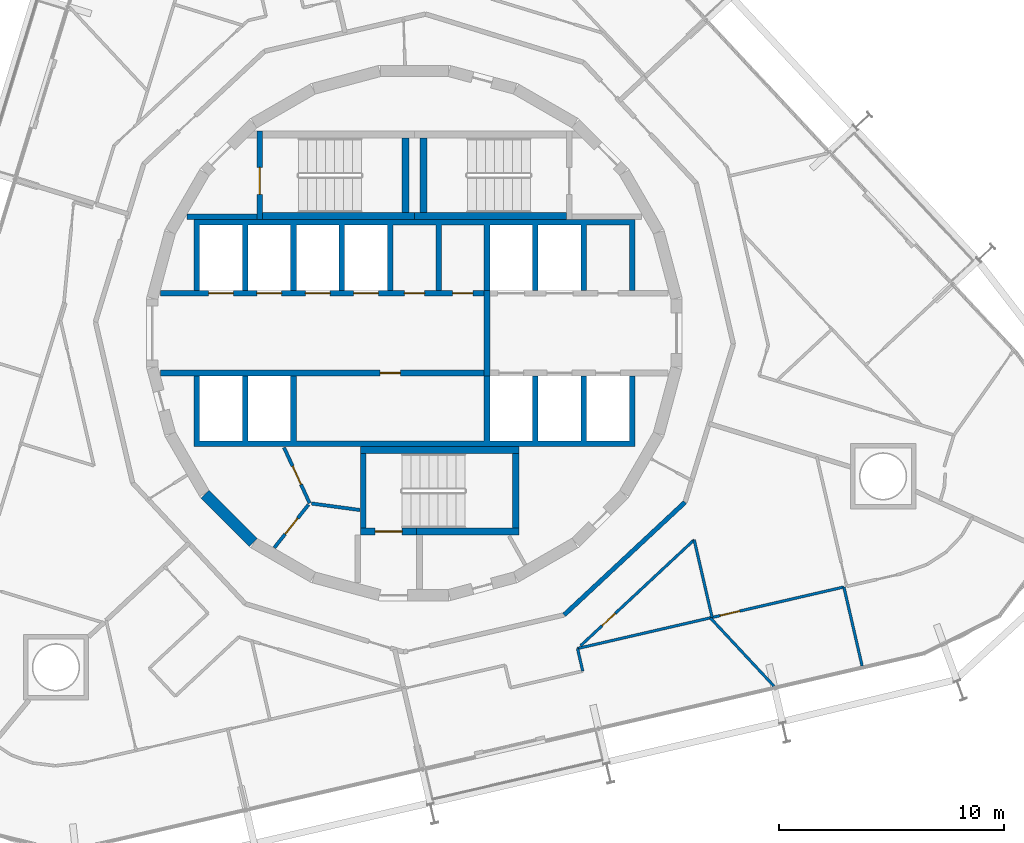
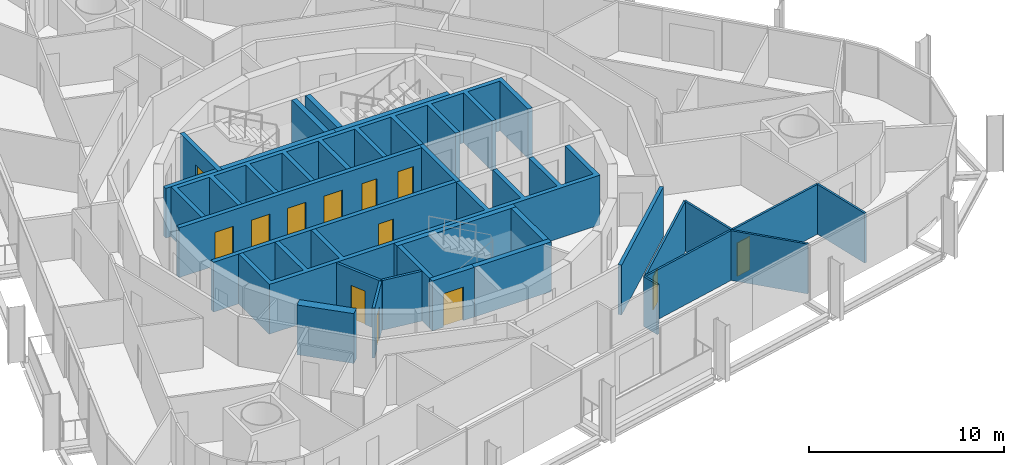
# One storey, part 13 of 18: 27 walls, 13 doors, 13 openings.
"""IFC4 building model written with IfcOpenShell, lengths in metres."""

from ifc_helpers import new_model, si_unit, direction, frame, frame_2d, origin, place, context, subcontext, project, spatial, polyline, rectangle, outline, extrude, material, layer, layer_set, type_object, element, fill, save


model = new_model("IFC4")

# Units and contexts
model_context = context("Model", 3, precision=1e-05, world=origin(), true_north=direction((0.0, 1.0)))
body_context = subcontext(model_context, "Body", "Model", "MODEL_VIEW")
ifc_project = project(units=[si_unit("LENGTHUNIT", "METRE"), si_unit("AREAUNIT", "SQUARE_METRE"), si_unit("VOLUMEUNIT", "CUBIC_METRE"), si_unit("PLANEANGLEUNIT", "RADIAN"), si_unit("MASSUNIT", "GRAM", prefix="KILO")], contexts=[model_context])

# Site, building, storey
site_placement = place(None, origin())
site = spatial("IfcSite", under=ifc_project, at=site_placement, CompositionType="ELEMENT")
building_placement = place(site_placement, origin())
building = spatial("IfcBuilding", under=site, at=building_placement, Name="Spindle Arch Residences", CompositionType="ELEMENT")
storey_placement = place(building_placement, frame((0.0, 0.0, 137.89990234375)))
storey = spatial("IfcBuildingStorey", under=building, at=storey_placement, Name="L34", CompositionType="ELEMENT", Elevation=137.89990234375)

# Walls
ifc_material_1 = material(Name="Concrete C50/60", Category="concrete")
ifc_layer_1 = layer(ifc_material_1, 0.5)
ifc_layer_set_1 = layer_set([ifc_layer_1], Name="Core outline wall 500")
wall_type_1 = type_object("IfcWallType", Name="Core outline wall 500", PredefinedType="SHEAR", material=ifc_layer_set_1)
wall_1_placement = place(storey_placement, frame((-9.30810546875, -7.163818359375, 0.0), z_axis=(0.0, 0.0, 1.0), x_axis=(0.707106781187, -0.707106781187, 0.0)))
element("IfcWall", 1, at=wall_1_placement, inside=storey, type_object=wall_type_1, Name="Core outline wall 21", PredefinedType="SHEAR", context=body_context, shape_type="SweptSolid", body=[
    extrude(rectangle(XDim=3.032470703125, YDim=0.5, at=frame_2d((1.51611328125, 0.0))), origin(), (0.0, 0.0, 1.0), 3.1201171875),
])
ifc_material_2 = material(Name="Calcium silicate block, plastered")
ifc_layer_2 = layer(ifc_material_2, 0.199951171875)
ifc_layer_set_2 = layer_set([ifc_layer_2], Name="Corridor wall 200")
wall_type_2 = type_object("IfcWallType", Name="Corridor wall 200", PredefinedType="STANDARD", material=ifc_layer_set_2)
wall_2_placement = place(storey_placement, frame((6.65869140625, -12.523193359375, 0.0), z_axis=(0.0, 0.0, 1.0), x_axis=(0.731350455479, 0.682001841105, 0.0)))
element("IfcWall", 2, at=wall_2_placement, inside=storey, type_object=wall_type_2, Name="Corridor wall R3C1-W015", PredefinedType="STANDARD", context=body_context, shape_type="SweptSolid", body=[
    extrude(rectangle(XDim=7.341796875, YDim=0.199951171875, at=frame_2d((3.6708984375, 0.0))), origin(), (0.0, 0.0, 1.0), 3.1201171875),
])
ifc_material_3 = material(Name="Concrete C40/50", Category="concrete")
ifc_layer_3 = layer(ifc_material_3, 0.25)
ifc_layer_set_3 = layer_set([ifc_layer_3], Name="Fire-lift lobby wall 250")
wall_type_3 = type_object("IfcWallType", Name="Fire-lift lobby wall 250", PredefinedType="SHEAR", material=ifc_layer_set_3)
wall_3_placement = place(storey_placement, frame((3.22509765625, -1.89990234375, 0.0), z_axis=(0.0, 0.0, 1.0), x_axis=(0.0, 1.0, 0.0)))
element("IfcWall", 3, at=wall_3_placement, inside=storey, type_object=wall_type_3, Name="Fire-fighting lobby partition", PredefinedType="SHEAR", context=body_context, shape_type="SweptSolid", body=[
    extrude(rectangle(XDim=3.7998046875, YDim=0.25, at=frame_2d((1.89990234375, 0.0))), origin(), (0.0, 0.0, 1.0), 3.1201171875),
])
ifc_material_4 = material(Name="Plasterboard on steel studs", Category="steel")
ifc_layer_4 = layer(ifc_material_4, 0.1201171875)
ifc_layer_set_4 = layer_set([ifc_layer_4], Name="Flat partition 120")
wall_type_4 = type_object("IfcWallType", Name="Flat partition 120", PredefinedType="PARTITIONING", material=ifc_layer_set_4)
wall_4_placement = place(storey_placement, frame((7.480712890625, -15.0224609375, 0.0), z_axis=(0.0, 0.0, 1.0), x_axis=(-0.225084689316, 0.974339203068, 0.0)))
element("IfcWall", 4, at=wall_4_placement, inside=storey, type_object=wall_type_4, Name="Flat partition R3C1-W104", PredefinedType="PARTITIONING", context=body_context, shape_type="SweptSolid", body=[
    extrude(rectangle(XDim=1.029296875, YDim=0.1201171875, at=frame_2d((0.5146484375, 0.0))), origin(), (0.0, 0.0, 1.0), 3.1201171875),
])

# Wall, opening, door
wall_5_placement = place(storey_placement, frame((7.3876953125, -13.894287109375, 0.0), z_axis=(0.0, 0.0, 1.0), x_axis=(0.731339966659, 0.682013088707, 0.0)))
wall_5 = element("IfcWall", 5, at=wall_5_placement, inside=storey, type_object=wall_type_4, Name="Flat partition R3C1-W105", PredefinedType="PARTITIONING", context=body_context, shape_type="SweptSolid", body=[
    extrude(rectangle(XDim=6.8994140625, YDim=0.1201171875, at=frame_2d((3.44970703125, 0.0))), origin(), (0.0, 0.0, 1.0), 3.1201171875),
])
opening_1_placement = place(wall_5_placement, frame((1.300048828125, 0.0, 0.0)))
opening_1 = element("IfcOpeningElement", 6, at=opening_1_placement, cuts=wall_5, Name="Opening R3C1-BD06", PredefinedType="OPENING", context=body_context, shape_type="SweptSolid", body=[
    extrude(rectangle(XDim=0.800048828125, YDim=2.10009765625, at=frame_2d((0.39990234375, 1.050048828125))), frame((0.0, 0.070068359375, 0.0), z_axis=(0.0, -1.0, 0.0), x_axis=(1.0, 0.0, 0.0)), (0.0, 0.0, 1.0), 0.14013671875),
])
ifc_material_5 = material(Name="Timber door set", Category="wood")
door_type_1 = type_object("IfcDoorType", Name="Bathroom door 800x2100", OperationType="NOTDEFINED", PredefinedType="DOOR", material=ifc_material_5)
door_1_placement = place(opening_1_placement, origin())
door_1 = element("IfcDoor", 7, at=door_1_placement, inside=storey, type_object=door_type_1, Name="Bathroom door R3C1-BD06", OperationType="SINGLE_SWING_RIGHT", OverallHeight=2.10009765625, OverallWidth=0.800048828125, PredefinedType="DOOR", context=body_context, shape_type="SweptSolid", body=[
    extrude(rectangle(XDim=0.800048828125, YDim=2.10009765625, at=frame_2d((0.39990234375, 1.050048828125))), frame((0.0, 0.02490234375, 0.0), z_axis=(0.0, -1.0, 0.0), x_axis=(1.0, 0.0, 0.0)), (0.0, 0.0, 1.0), 0.050048828125),
])
fill(opening_1, door_1)

# Wall
wall_6_placement = place(storey_placement, frame((12.43359375, -9.188720703125, 0.0), z_axis=(0.0, 0.0, 1.0), x_axis=(0.224924972887, -0.974376085796, 0.0)))
element("IfcWall", 8, at=wall_6_placement, inside=storey, type_object=wall_type_4, Name="Flat partition R3C1-W106", PredefinedType="PARTITIONING", context=body_context, shape_type="SweptSolid", body=[
    extrude(rectangle(XDim=3.540771484375, YDim=0.1201171875, at=frame_2d((1.7705078125, 0.0))), origin(), (0.0, 0.0, 1.0), 3.1201171875),
])

# Wall, opening, door
wall_7_placement = place(storey_placement, frame((7.2490234375, -14.01953125, 0.0), z_axis=(0.0, 0.0, 1.0), x_axis=(0.974369514697, 0.224953437023, 0.0)))
wall_7 = element("IfcWall", 9, at=wall_7_placement, inside=storey, type_object=wall_type_4, Name="Flat partition R3C1-W107", PredefinedType="PARTITIONING", context=body_context, shape_type="SweptSolid", body=[
    extrude(rectangle(XDim=12.148681640625, YDim=0.1201171875, at=frame_2d((6.07421875, 0.0))), origin(), (0.0, 0.0, 1.0), 3.1201171875),
])
opening_2_placement = place(wall_7_placement, frame((6.498291015625, 0.0, 0.0)))
opening_2 = element("IfcOpeningElement", 10, at=opening_2_placement, cuts=wall_7, Name="Opening R3C1-ID28", PredefinedType="OPENING", context=body_context, shape_type="SweptSolid", body=[
    extrude(rectangle(XDim=0.89990234375, YDim=2.10009765625, at=frame_2d((0.449951171875, 1.050048828125))), frame((0.0, 0.070068359375, 0.0), z_axis=(0.0, -1.0, 0.0), x_axis=(1.0, 0.0, 0.0)), (0.0, 0.0, 1.0), 0.14013671875),
])
ifc_material_6 = material(Name="Timber door set", Category="wood")
door_type_2 = type_object("IfcDoorType", Name="Room door 900x2100", OperationType="NOTDEFINED", PredefinedType="DOOR", material=ifc_material_6)
door_2_placement = place(opening_2_placement, origin())
door_2 = element("IfcDoor", 11, at=door_2_placement, inside=storey, type_object=door_type_2, Name="Room door R3C1-ID28", OperationType="SINGLE_SWING_RIGHT", OverallHeight=2.10009765625, OverallWidth=0.89990234375, PredefinedType="DOOR", context=body_context, shape_type="SweptSolid", body=[
    extrude(rectangle(XDim=0.89990234375, YDim=2.10009765625, at=frame_2d((0.449951171875, 1.050048828125))), frame((0.0, 0.02490234375, 0.0), z_axis=(0.0, -1.0, 0.0), x_axis=(1.0, 0.0, 0.0)), (0.0, 0.0, 1.0), 0.050048828125),
])
fill(opening_2, door_2)

# Walls
wall_8_placement = place(storey_placement, frame((15.984619140625, -15.697509765625, 0.0), z_axis=(0.0, 0.0, 1.0), x_axis=(-0.681979185924, 0.731371581322, 0.0)))
element("IfcWall", 12, at=wall_8_placement, inside=storey, type_object=wall_type_4, Name="Flat partition R3C1-W109", PredefinedType="PARTITIONING", context=body_context, shape_type="SweptSolid", body=[
    extrude(rectangle(XDim=4.156982421875, YDim=0.1201171875, at=frame_2d((2.07861328125, 0.0))), origin(), (0.0, 0.0, 1.0), 3.1201171875),
])
wall_9_placement = place(storey_placement, frame((19.896240234375, -14.794189453125, 0.0), z_axis=(0.0, 0.0, 1.0), x_axis=(-0.224958568294, 0.974368330023, 0.0)))
element("IfcWall", 13, at=wall_9_placement, inside=storey, type_object=wall_type_4, Name="Flat partition R3C1-W110", PredefinedType="PARTITIONING", context=body_context, shape_type="SweptSolid", body=[
    extrude(rectangle(XDim=3.599853515625, YDim=0.1201171875, at=frame_2d((1.7998046875, 0.0))), origin(), (0.0, 0.0, 1.0), 3.1201171875),
])

# Wall, openings, doors
ifc_material_7 = material(Name="Concrete C50/60", Category="concrete")
ifc_layer_5 = layer(ifc_material_7, 0.25)
ifc_layer_set_5 = layer_set([ifc_layer_5], Name="Lift shaft wall 250")
wall_type_5 = type_object("IfcWallType", Name="Lift shaft wall 250", PredefinedType="SHEAR", material=ifc_layer_set_5)
wall_10_placement = place(storey_placement, frame((-11.280029296875, 1.77490234375, 0.0), z_axis=(0.0, 0.0, 1.0), x_axis=(1.0, 0.0, 0.0)))
wall_10 = element("IfcWall", 14, at=wall_10_placement, inside=storey, type_object=wall_type_5, Name="Lift shaft front wall NW", PredefinedType="SHEAR", context=body_context, shape_type="SweptSolid", body=[
    extrude(rectangle(XDim=14.380126953125, YDim=0.25, at=frame_2d((7.18994140625, 0.0))), origin(), (0.0, 0.0, 1.0), 3.1201171875),
])
opening_3_placement = place(wall_10_placement, frame((2.1298828125, 0.0, 0.0)))
opening_3 = element("IfcOpeningElement", 15, at=opening_3_placement, cuts=wall_10, Name="Opening R3C1-LD01", PredefinedType="OPENING", context=body_context, shape_type="SweptSolid", body=[
    extrude(rectangle(XDim=1.10009765625, YDim=2.10009765625, at=frame_2d((0.550048828125, 1.050048828125))), frame((0.0, 0.135009765625, 0.0), z_axis=(0.0, -1.0, 0.0), x_axis=(1.0, 0.0, 0.0)), (0.0, 0.0, 1.0), 0.27001953125),
])
opening_4_placement = place(wall_10_placement, frame((4.280029296875, 0.0, 0.0)))
opening_4 = element("IfcOpeningElement", 16, at=opening_4_placement, cuts=wall_10, Name="Opening R3C1-LD02", PredefinedType="OPENING", context=body_context, shape_type="SweptSolid", body=[
    extrude(rectangle(XDim=1.10009765625, YDim=2.10009765625, at=frame_2d((0.550048828125, 1.050048828125))), frame((0.0, 0.135009765625, 0.0), z_axis=(0.0, -1.0, 0.0), x_axis=(1.0, 0.0, 0.0)), (0.0, 0.0, 1.0), 0.27001953125),
])
opening_5_placement = place(wall_10_placement, frame((6.429931640625, 0.0, 0.0)))
opening_5 = element("IfcOpeningElement", 17, at=opening_5_placement, cuts=wall_10, Name="Opening R3C1-LD03", PredefinedType="OPENING", context=body_context, shape_type="SweptSolid", body=[
    extrude(rectangle(XDim=1.10009765625, YDim=2.10009765625, at=frame_2d((0.550048828125, 1.050048828125))), frame((0.0, 0.135009765625, 0.0), z_axis=(0.0, -1.0, 0.0), x_axis=(1.0, 0.0, 0.0)), (0.0, 0.0, 1.0), 0.27001953125),
])
opening_6_placement = place(wall_10_placement, frame((8.580078125, 0.0, 0.0)))
opening_6 = element("IfcOpeningElement", 18, at=opening_6_placement, cuts=wall_10, Name="Opening R3C1-LD04", PredefinedType="OPENING", context=body_context, shape_type="SweptSolid", body=[
    extrude(rectangle(XDim=1.10009765625, YDim=2.10009765625, at=frame_2d((0.550048828125, 1.050048828125))), frame((0.0, 0.135009765625, 0.0), z_axis=(0.0, -1.0, 0.0), x_axis=(1.0, 0.0, 0.0)), (0.0, 0.0, 1.0), 0.27001953125),
])
opening_7_placement = place(wall_10_placement, frame((10.830078125, 0.0, 0.0)))
opening_7 = element("IfcOpeningElement", 19, at=opening_7_placement, cuts=wall_10, Name="Opening R3C1-WD01", PredefinedType="OPENING", context=body_context, shape_type="SweptSolid", body=[
    extrude(rectangle(XDim=0.89990234375, YDim=2.10009765625, at=frame_2d((0.449951171875, 1.050048828125))), frame((0.0, 0.135009765625, 0.0), z_axis=(0.0, -1.0, 0.0), x_axis=(1.0, 0.0, 0.0)), (0.0, 0.0, 1.0), 0.27001953125),
])
opening_8_placement = place(wall_10_placement, frame((12.97998046875, 0.0, 0.0)))
opening_8 = element("IfcOpeningElement", 20, at=opening_8_placement, cuts=wall_10, Name="Opening R3C1-WD02", PredefinedType="OPENING", context=body_context, shape_type="SweptSolid", body=[
    extrude(rectangle(XDim=0.89990234375, YDim=2.10009765625, at=frame_2d((0.449951171875, 1.050048828125))), frame((0.0, 0.135009765625, 0.0), z_axis=(0.0, -1.0, 0.0), x_axis=(1.0, 0.0, 0.0)), (0.0, 0.0, 1.0), 0.27001953125),
])
ifc_material_8 = material(Name="Steel, fire-resisting landing door", Category="steel")
door_type_3 = type_object("IfcDoorType", Name="Lift landing door 1100x2100", OperationType="DOUBLE_DOOR_SLIDING", PredefinedType="DOOR", material=ifc_material_8)
door_3_placement = place(opening_3_placement, origin())
door_3 = element("IfcDoor", 21, at=door_3_placement, inside=storey, type_object=door_type_3, Name="Lift landing door R3C1-LD01", OperationType="DOUBLE_DOOR_SLIDING", OverallHeight=2.10009765625, OverallWidth=1.10009765625, PredefinedType="DOOR", context=body_context, shape_type="SweptSolid", body=[
    extrude(rectangle(XDim=1.10009765625, YDim=2.10009765625, at=frame_2d((0.550048828125, 1.050048828125))), frame((0.0, 0.02490234375, 0.0), z_axis=(0.0, -1.0, 0.0), x_axis=(1.0, 0.0, 0.0)), (0.0, 0.0, 1.0), 0.050048828125),
])
fill(opening_3, door_3)
door_4_placement = place(opening_4_placement, origin())
door_4 = element("IfcDoor", 22, at=door_4_placement, inside=storey, type_object=door_type_3, Name="Lift landing door R3C1-LD02", OperationType="DOUBLE_DOOR_SLIDING", OverallHeight=2.10009765625, OverallWidth=1.10009765625, PredefinedType="DOOR", context=body_context, shape_type="SweptSolid", body=[
    extrude(rectangle(XDim=1.10009765625, YDim=2.10009765625, at=frame_2d((0.550048828125, 1.050048828125))), frame((0.0, 0.02490234375, 0.0), z_axis=(0.0, -1.0, 0.0), x_axis=(1.0, 0.0, 0.0)), (0.0, 0.0, 1.0), 0.050048828125),
])
fill(opening_4, door_4)
door_5_placement = place(opening_5_placement, origin())
door_5 = element("IfcDoor", 23, at=door_5_placement, inside=storey, type_object=door_type_3, Name="Lift landing door R3C1-LD03", OperationType="DOUBLE_DOOR_SLIDING", OverallHeight=2.10009765625, OverallWidth=1.10009765625, PredefinedType="DOOR", context=body_context, shape_type="SweptSolid", body=[
    extrude(rectangle(XDim=1.10009765625, YDim=2.10009765625, at=frame_2d((0.550048828125, 1.050048828125))), frame((0.0, 0.02490234375, 0.0), z_axis=(0.0, -1.0, 0.0), x_axis=(1.0, 0.0, 0.0)), (0.0, 0.0, 1.0), 0.050048828125),
])
fill(opening_5, door_5)
door_6_placement = place(opening_6_placement, origin())
door_6 = element("IfcDoor", 24, at=door_6_placement, inside=storey, type_object=door_type_3, Name="Lift landing door R3C1-LD04", OperationType="DOUBLE_DOOR_SLIDING", OverallHeight=2.10009765625, OverallWidth=1.10009765625, PredefinedType="DOOR", context=body_context, shape_type="SweptSolid", body=[
    extrude(rectangle(XDim=1.10009765625, YDim=2.10009765625, at=frame_2d((0.550048828125, 1.050048828125))), frame((0.0, 0.02490234375, 0.0), z_axis=(0.0, -1.0, 0.0), x_axis=(1.0, 0.0, 0.0)), (0.0, 0.0, 1.0), 0.050048828125),
])
fill(opening_6, door_6)
ifc_material_9 = material(Name="Steel, fire-resisting door", Category="steel")
door_type_4 = type_object("IfcDoorType", Name="Service room door 900x2100", OperationType="SINGLE_SWING_LEFT", PredefinedType="DOOR", material=ifc_material_9)
door_7_placement = place(opening_7_placement, origin())
door_7 = element("IfcDoor", 25, at=door_7_placement, inside=storey, type_object=door_type_4, Name="Service room door R3C1-WD01", OperationType="SINGLE_SWING_RIGHT", OverallHeight=2.10009765625, OverallWidth=0.89990234375, PredefinedType="DOOR", context=body_context, shape_type="SweptSolid", body=[
    extrude(rectangle(XDim=0.89990234375, YDim=2.10009765625, at=frame_2d((0.449951171875, 1.050048828125))), frame((0.0, 0.02490234375, 0.0), z_axis=(0.0, -1.0, 0.0), x_axis=(1.0, 0.0, 0.0)), (0.0, 0.0, 1.0), 0.050048828125),
])
fill(opening_7, door_7)
door_8_placement = place(opening_8_placement, origin())
door_8 = element("IfcDoor", 26, at=door_8_placement, inside=storey, type_object=door_type_4, Name="Service room door R3C1-WD02", OperationType="SINGLE_SWING_LEFT", OverallHeight=2.10009765625, OverallWidth=0.89990234375, PredefinedType="DOOR", context=body_context, shape_type="SweptSolid", body=[
    extrude(rectangle(XDim=0.89990234375, YDim=2.10009765625, at=frame_2d((0.449951171875, 1.050048828125))), frame((0.0, 0.02490234375, 0.0), z_axis=(0.0, -1.0, 0.0), x_axis=(1.0, 0.0, 0.0)), (0.0, 0.0, 1.0), 0.050048828125),
])
fill(opening_8, door_8)

# Wall, opening, door
wall_11_placement = place(storey_placement, frame((-11.280029296875, -1.77490234375, 0.0), z_axis=(0.0, 0.0, 1.0), x_axis=(1.0, 0.0, 0.0)))
wall_11 = element("IfcWall", 27, at=wall_11_placement, inside=storey, type_object=wall_type_5, Name="Lift shaft front wall SW", PredefinedType="SHEAR", context=body_context, shape_type="SweptSolid", body=[
    extrude(rectangle(XDim=14.380126953125, YDim=0.25, at=frame_2d((7.18994140625, 0.0))), origin(), (0.0, 0.0, 1.0), 3.1201171875),
])
opening_9_placement = place(wall_11_placement, frame((9.7548828125, 0.0, 0.0)))
opening_9 = element("IfcOpeningElement", 28, at=opening_9_placement, cuts=wall_11, Name="Opening R3C1-WD04", PredefinedType="OPENING", context=body_context, shape_type="SweptSolid", body=[
    extrude(rectangle(XDim=0.89990234375, YDim=2.10009765625, at=frame_2d((0.449951171875, 1.050048828125))), frame((0.0, 0.135009765625, 0.0), z_axis=(0.0, -1.0, 0.0), x_axis=(1.0, 0.0, 0.0)), (0.0, 0.0, 1.0), 0.27001953125),
])
door_9_placement = place(opening_9_placement, origin())
door_9 = element("IfcDoor", 29, at=door_9_placement, inside=storey, type_object=door_type_4, Name="Service room door R3C1-WD04", OperationType="SINGLE_SWING_LEFT", OverallHeight=2.10009765625, OverallWidth=0.89990234375, PredefinedType="DOOR", context=body_context, shape_type="SweptSolid", body=[
    extrude(rectangle(XDim=0.89990234375, YDim=2.10009765625, at=frame_2d((0.449951171875, 1.050048828125))), frame((0.0, 0.02490234375, 0.0), z_axis=(0.0, -1.0, 0.0), x_axis=(1.0, 0.0, 0.0)), (0.0, 0.0, 1.0), 0.050048828125),
])
fill(opening_9, door_9)

# Walls
ifc_material_10 = material(Name="Concrete C50/60", Category="concrete")
wall_type_6 = type_object("IfcWallType", Name="Lift shaft wall profile", PredefinedType="SHEAR", material=ifc_material_10)
wall_12_placement = place(storey_placement, origin())
element("IfcWall", 30, at=wall_12_placement, inside=storey, type_object=wall_type_6, Name="Lift shaft walls N", PredefinedType="SHEAR", context=body_context, shape_type="SweptSolid", body=[
    extrude(outline(polyline([(-9.550048828125, 4.800048828125), (-7.64990234375, 4.800048828125), (-7.64990234375, 1.89990234375), (-7.39990234375, 1.89990234375), (-7.39990234375, 4.800048828125), (-5.5, 4.800048828125), (-5.5, 1.89990234375), (-5.25, 1.89990234375), (-5.25, 4.800048828125), (-3.35009765625, 4.800048828125), (-3.35009765625, 1.89990234375), (-3.10009765625, 1.89990234375), (-3.10009765625, 4.800048828125), (-1.199951171875, 4.800048828125), (-1.199951171875, 1.89990234375), (-0.949951171875, 1.89990234375), (-0.949951171875, 4.800048828125), (0.949951171875, 4.800048828125), (0.949951171875, 1.89990234375), (1.199951171875, 1.89990234375), (1.199951171875, 4.800048828125), (3.10009765625, 4.800048828125), (3.10009765625, 1.89990234375), (3.35009765625, 1.89990234375), (3.35009765625, 4.800048828125), (5.25, 4.800048828125), (5.25, 1.89990234375), (5.5, 1.89990234375), (5.5, 4.800048828125), (7.39990234375, 4.800048828125), (7.39990234375, 1.89990234375), (7.64990234375, 1.89990234375), (7.64990234375, 4.800048828125), (9.550048828125, 4.800048828125), (9.550048828125, 1.89990234375), (9.800048828125, 1.89990234375), (9.800048828125, 4.800048828125), (9.800048828125, 5.050048828125), (-9.800048828125, 5.050048828125), (-9.800048828125, 4.800048828125), (-9.800048828125, 1.89990234375), (-9.550048828125, 1.89990234375), (-9.550048828125, 4.800048828125)])), origin(), (0.0, 0.0, 1.0), 3.1201171875),
])
wall_13_placement = place(storey_placement, origin())
element("IfcWall", 31, at=wall_13_placement, inside=storey, type_object=wall_type_6, Name="Lift shaft walls S", PredefinedType="SHEAR", context=body_context, shape_type="SweptSolid", body=[
    extrude(outline(polyline([(9.800048828125, -5.050048828125), (9.800048828125, -4.800048828125), (9.800048828125, -1.89990234375), (9.550048828125, -1.89990234375), (9.550048828125, -4.800048828125), (7.64990234375, -4.800048828125), (7.64990234375, -1.89990234375), (7.39990234375, -1.89990234375), (7.39990234375, -4.800048828125), (5.5, -4.800048828125), (5.5, -1.89990234375), (5.25, -1.89990234375), (5.25, -4.800048828125), (3.35009765625, -4.800048828125), (3.35009765625, -1.89990234375), (3.10009765625, -1.89990234375), (3.10009765625, -4.800048828125), (-5.25, -4.800048828125), (-5.25, -1.89990234375), (-5.5, -1.89990234375), (-5.5, -4.800048828125), (-7.39990234375, -4.800048828125), (-7.39990234375, -1.89990234375), (-7.64990234375, -1.89990234375), (-7.64990234375, -4.800048828125), (-9.550048828125, -4.800048828125), (-9.550048828125, -1.89990234375), (-9.800048828125, -1.89990234375), (-9.800048828125, -4.800048828125), (-9.800048828125, -5.050048828125), (9.800048828125, -5.050048828125)])), origin(), (0.0, 0.0, 1.0), 3.1201171875),
])

# Wall, opening, door
ifc_material_11 = material(Name="Concrete C25/30", Category="concrete")
ifc_layer_6 = layer(ifc_material_11, 0.14990234375)
ifc_layer_set_6 = layer_set([ifc_layer_6], Name="Service room partition 150")
wall_type_7 = type_object("IfcWallType", Name="Service room partition 150", PredefinedType="PARTITIONING", material=ifc_layer_set_6)
wall_14_placement = place(storey_placement, frame((-5.794921875, -5.086181640625, 0.0), z_axis=(0.0, 0.0, 1.0), x_axis=(0.417887867606, -0.908498613157, 0.0)))
wall_14 = element("IfcWall", 32, at=wall_14_placement, inside=storey, type_object=wall_type_7, Name="Core service room partition", PredefinedType="PARTITIONING", context=body_context, shape_type="SweptSolid", body=[
    extrude(rectangle(XDim=2.72607421875, YDim=0.14990234375, at=frame_2d((1.363037109375, 0.0))), origin(), (0.0, 0.0, 1.0), 3.1201171875),
])
opening_10_placement = place(wall_14_placement, frame((0.912841796875, 0.0, 0.0)))
opening_10 = element("IfcOpeningElement", 33, at=opening_10_placement, cuts=wall_14, Name="Opening R3C1-WD05", PredefinedType="OPENING", context=body_context, shape_type="SweptSolid", body=[
    extrude(rectangle(XDim=0.89990234375, YDim=2.10009765625, at=frame_2d((0.449951171875, 1.050048828125))), frame((0.0, 0.0849609375, 0.0), z_axis=(0.0, -1.0, 0.0), x_axis=(1.0, 0.0, 0.0)), (0.0, 0.0, 1.0), 0.169921875),
])
door_10_placement = place(opening_10_placement, origin())
door_10 = element("IfcDoor", 34, at=door_10_placement, inside=storey, type_object=door_type_4, Name="Service room door R3C1-WD05", OperationType="SINGLE_SWING_RIGHT", OverallHeight=2.10009765625, OverallWidth=0.89990234375, PredefinedType="DOOR", context=body_context, shape_type="SweptSolid", body=[
    extrude(rectangle(XDim=0.89990234375, YDim=2.10009765625, at=frame_2d((0.449951171875, 1.050048828125))), frame((0.0, 0.02490234375, 0.0), z_axis=(0.0, -1.0, 0.0), x_axis=(1.0, 0.0, 0.0)), (0.0, 0.0, 1.0), 0.050048828125),
])
fill(opening_10, door_10)

wall_15_placement = place(storey_placement, frame((-4.70556640625, -7.62548828125, 0.0), z_axis=(0.0, 0.0, 1.0), x_axis=(-0.621392599334, -0.783499353856, 0.0)))
wall_15 = element("IfcWall", 35, at=wall_15_placement, inside=storey, type_object=wall_type_7, Name="Core service room partition", PredefinedType="PARTITIONING", context=body_context, shape_type="SweptSolid", body=[
    extrude(rectangle(XDim=2.447265625, YDim=0.14990234375, at=frame_2d((1.2236328125, 0.0))), origin(), (0.0, 0.0, 1.0), 3.1201171875),
])
opening_11_placement = place(wall_15_placement, frame((0.773681640625, 0.0, 0.0)))
opening_11 = element("IfcOpeningElement", 36, at=opening_11_placement, cuts=wall_15, Name="Opening R3C1-WD06", PredefinedType="OPENING", context=body_context, shape_type="SweptSolid", body=[
    extrude(rectangle(XDim=0.89990234375, YDim=2.10009765625, at=frame_2d((0.449951171875, 1.050048828125))), frame((0.0, 0.0849609375, 0.0), z_axis=(0.0, -1.0, 0.0), x_axis=(1.0, 0.0, 0.0)), (0.0, 0.0, 1.0), 0.169921875),
])
door_11_placement = place(opening_11_placement, origin())
door_11 = element("IfcDoor", 37, at=door_11_placement, inside=storey, type_object=door_type_4, Name="Service room door R3C1-WD06", OperationType="SINGLE_SWING_LEFT", OverallHeight=2.10009765625, OverallWidth=0.89990234375, PredefinedType="DOOR", context=body_context, shape_type="SweptSolid", body=[
    extrude(rectangle(XDim=0.89990234375, YDim=2.10009765625, at=frame_2d((0.449951171875, 1.050048828125))), frame((0.0, 0.02490234375, 0.0), z_axis=(0.0, -1.0, 0.0), x_axis=(1.0, 0.0, 0.0)), (0.0, 0.0, 1.0), 0.050048828125),
])
fill(opening_11, door_11)

# Walls
wall_16_placement = place(storey_placement, frame((-2.419921875, -7.865234375, 0.0), z_axis=(0.0, 0.0, 1.0), x_axis=(-0.990972299108, 0.134066783362, 0.0)))
element("IfcWall", 38, at=wall_16_placement, inside=storey, type_object=wall_type_7, Name="Core service room partition", PredefinedType="PARTITIONING", context=body_context, shape_type="SweptSolid", body=[
    extrude(rectangle(XDim=2.176025390625, YDim=0.14990234375, at=frame_2d((1.087890625, 0.0))), origin(), (0.0, 0.0, 1.0), 3.1201171875),
])
ifc_material_12 = material(Name="Concrete C40/50", Category="concrete")
ifc_layer_7 = layer(ifc_material_12, 0.25)
ifc_layer_set_7 = layer_set([ifc_layer_7], Name="Stair airlock wall 250")
wall_type_8 = type_object("IfcWallType", Name="Stair airlock wall 250", PredefinedType="SHEAR", material=ifc_layer_set_7)
wall_17_placement = place(storey_placement, frame((-7.0, 5.175048828125, 0.0), z_axis=(0.0, 0.0, 1.0), x_axis=(-1.0, 0.0, 0.0)))
element("IfcWall", 39, at=wall_17_placement, inside=storey, type_object=wall_type_8, Name="Stair ST-2 airlock wall S", PredefinedType="SHEAR", context=body_context, shape_type="SweptSolid", body=[
    extrude(rectangle(XDim=3.10009765625, YDim=0.25, at=frame_2d((1.550048828125, 0.0))), origin(), (0.0, 0.0, 1.0), 3.1201171875),
])

# Wall, opening, door
ifc_material_13 = material(Name="Concrete C50/60", Category="concrete")
ifc_layer_8 = layer(ifc_material_13, 0.25)
ifc_layer_set_8 = layer_set([ifc_layer_8], Name="Stair enclosure wall 250")
wall_type_9 = type_object("IfcWallType", Name="Stair enclosure wall 250", PredefinedType="SHEAR", material=ifc_layer_set_8)
wall_18_placement = place(storey_placement, frame((-6.875, 8.969970703125, 0.0), z_axis=(0.0, 0.0, 1.0), x_axis=(0.0, -1.0, 0.0)))
wall_18 = element("IfcWall", 40, at=wall_18_placement, inside=storey, type_object=wall_type_9, Name="Stair ST-2 door wall", PredefinedType="SHEAR", context=body_context, shape_type="SweptSolid", body=[
    extrude(rectangle(XDim=3.919921875, YDim=0.25, at=frame_2d((1.9599609375, 0.0))), origin(), (0.0, 0.0, 1.0), 3.1201171875),
])
opening_12_placement = place(wall_18_placement, frame((1.610107421875, 0.0, 0.0)))
opening_12 = element("IfcOpeningElement", 41, at=opening_12_placement, cuts=wall_18, Name="Opening R3C1-SD02", PredefinedType="OPENING", context=body_context, shape_type="SweptSolid", body=[
    extrude(rectangle(XDim=1.199951171875, YDim=2.10009765625, at=frame_2d((0.60009765625, 1.050048828125))), frame((0.0, 0.135009765625, 0.0), z_axis=(0.0, -1.0, 0.0), x_axis=(1.0, 0.0, 0.0)), (0.0, 0.0, 1.0), 0.27001953125),
])
ifc_material_14 = material(Name="Steel, fire-resisting door", Category="steel")
door_type_5 = type_object("IfcDoorType", Name="Stair door 1200x2100", OperationType="SINGLE_SWING_RIGHT", PredefinedType="DOOR", material=ifc_material_14)
door_12_placement = place(opening_12_placement, origin())
door_12 = element("IfcDoor", 42, at=door_12_placement, inside=storey, type_object=door_type_5, Name="Stair door R3C1-SD02", OperationType="SINGLE_SWING_LEFT", OverallHeight=2.10009765625, OverallWidth=1.199951171875, PredefinedType="DOOR", context=body_context, shape_type="SweptSolid", body=[
    extrude(rectangle(XDim=1.199951171875, YDim=2.10009765625, at=frame_2d((0.60009765625, 1.050048828125))), frame((0.0, 0.02490234375, 0.0), z_axis=(0.0, -1.0, 0.0), x_axis=(1.0, 0.0, 0.0)), (0.0, 0.0, 1.0), 0.050048828125),
])
fill(opening_12, door_12)

# Walls
wall_19_placement = place(storey_placement, frame((-2.27490234375, -8.669921875, 0.0), z_axis=(0.0, 0.0, 1.0), x_axis=(0.0, 1.0, 0.0)))
element("IfcWall", 43, at=wall_19_placement, inside=storey, type_object=wall_type_9, Name="Stair ST-3 enclosure wall W", PredefinedType="SHEAR", context=body_context, shape_type="SweptSolid", body=[
    extrude(rectangle(XDim=3.31982421875, YDim=0.25, at=frame_2d((1.659912109375, 0.0))), origin(), (0.0, 0.0, 1.0), 3.1201171875),
])
ifc_material_15 = material(Name="Concrete C50/60", Category="concrete")
ifc_layer_9 = layer(ifc_material_15, 0.300048828125)
ifc_layer_set_9 = layer_set([ifc_layer_9], Name="Stair enclosure wall 300")
wall_type_10 = type_object("IfcWallType", Name="Stair enclosure wall 300", PredefinedType="SHEAR", material=ifc_layer_set_9)
wall_20_placement = place(storey_placement, frame((0.0, 5.199951171875, 0.0), z_axis=(0.0, 0.0, 1.0), x_axis=(1.0, 0.0, 0.0)))
element("IfcWall", 44, at=wall_20_placement, inside=storey, type_object=wall_type_10, Name="Stair ST-1 enclosure wall S", PredefinedType="SHEAR", context=body_context, shape_type="SweptSolid", body=[
    extrude(rectangle(XDim=6.75, YDim=0.300048828125, at=frame_2d((3.375, 0.0))), origin(), (0.0, 0.0, 1.0), 3.1201171875),
])
wall_21_placement = place(storey_placement, frame((0.39990234375, 5.35009765625, 0.0), z_axis=(0.0, 0.0, 1.0), x_axis=(0.0, 1.0, 0.0)))
element("IfcWall", 45, at=wall_21_placement, inside=storey, type_object=wall_type_10, Name="Stair ST-1 enclosure wall F", PredefinedType="SHEAR", context=body_context, shape_type="SweptSolid", body=[
    extrude(rectangle(XDim=3.31982421875, YDim=0.300048828125, at=frame_2d((1.659912109375, 0.0))), origin(), (0.0, 0.0, 1.0), 3.1201171875),
])
wall_22_placement = place(storey_placement, frame((-6.75, 5.199951171875, 0.0), z_axis=(0.0, 0.0, 1.0), x_axis=(1.0, 0.0, 0.0)))
element("IfcWall", 46, at=wall_22_placement, inside=storey, type_object=wall_type_10, Name="Stair ST-2 enclosure wall S", PredefinedType="SHEAR", context=body_context, shape_type="SweptSolid", body=[
    extrude(rectangle(XDim=6.75, YDim=0.300048828125, at=frame_2d((3.375, 0.0))), origin(), (0.0, 0.0, 1.0), 3.1201171875),
])
wall_23_placement = place(storey_placement, frame((-0.39990234375, 5.35009765625, 0.0), z_axis=(0.0, 0.0, 1.0), x_axis=(0.0, 1.0, 0.0)))
element("IfcWall", 47, at=wall_23_placement, inside=storey, type_object=wall_type_10, Name="Stair ST-2 enclosure wall F", PredefinedType="SHEAR", context=body_context, shape_type="SweptSolid", body=[
    extrude(rectangle(XDim=3.31982421875, YDim=0.300048828125, at=frame_2d((1.659912109375, 0.0))), origin(), (0.0, 0.0, 1.0), 3.1201171875),
])
wall_24_placement = place(storey_placement, frame((-2.39990234375, -5.199951171875, 0.0), z_axis=(0.0, 0.0, 1.0), x_axis=(1.0, 0.0, 0.0)))
element("IfcWall", 48, at=wall_24_placement, inside=storey, type_object=wall_type_10, Name="Stair ST-3 enclosure wall N", PredefinedType="SHEAR", context=body_context, shape_type="SweptSolid", body=[
    extrude(rectangle(XDim=7.0498046875, YDim=0.300048828125, at=frame_2d((3.52490234375, 0.0))), origin(), (0.0, 0.0, 1.0), 3.1201171875),
])
wall_25_placement = place(storey_placement, frame((4.5, -8.669921875, 0.0), z_axis=(0.0, 0.0, 1.0), x_axis=(0.0, 1.0, 0.0)))
element("IfcWall", 49, at=wall_25_placement, inside=storey, type_object=wall_type_10, Name="Stair ST-3 enclosure wall E", PredefinedType="SHEAR", context=body_context, shape_type="SweptSolid", body=[
    extrude(rectangle(XDim=3.31982421875, YDim=0.300048828125, at=frame_2d((1.659912109375, 0.0))), origin(), (0.0, 0.0, 1.0), 3.1201171875),
])
wall_26_placement = place(storey_placement, frame((0.10009765625, -8.820068359375, 0.0), z_axis=(0.0, 0.0, 1.0), x_axis=(1.0, 0.0, 0.0)))
element("IfcWall", 50, at=wall_26_placement, inside=storey, type_object=wall_type_10, Name="Stair ST-3 enclosure wall S", PredefinedType="SHEAR", context=body_context, shape_type="SweptSolid", body=[
    extrude(rectangle(XDim=4.5498046875, YDim=0.300048828125, at=frame_2d((2.27490234375, 0.0))), origin(), (0.0, 0.0, 1.0), 3.1201171875),
])

# Wall, opening, door
wall_27_placement = place(storey_placement, frame((-2.39990234375, -8.820068359375, 0.0), z_axis=(0.0, 0.0, 1.0), x_axis=(1.0, 0.0, 0.0)))
wall_27 = element("IfcWall", 51, at=wall_27_placement, inside=storey, type_object=wall_type_10, Name="Stair ST-3 door wall", PredefinedType="SHEAR", context=body_context, shape_type="SweptSolid", body=[
    extrude(rectangle(XDim=2.5, YDim=0.300048828125, at=frame_2d((1.25, 0.0))), origin(), (0.0, 0.0, 1.0), 3.1201171875),
])
opening_13_placement = place(wall_27_placement, frame((0.64990234375, 0.0, 0.0)))
opening_13 = element("IfcOpeningElement", 52, at=opening_13_placement, cuts=wall_27, Name="Opening R3C1-SD03", PredefinedType="OPENING", context=body_context, shape_type="SweptSolid", body=[
    extrude(rectangle(XDim=1.199951171875, YDim=2.10009765625, at=frame_2d((0.60009765625, 1.050048828125))), frame((0.0, 0.16015625, 0.0), z_axis=(0.0, -1.0, 0.0), x_axis=(1.0, 0.0, 0.0)), (0.0, 0.0, 1.0), 0.320068359375),
])
door_13_placement = place(opening_13_placement, origin())
door_13 = element("IfcDoor", 53, at=door_13_placement, inside=storey, type_object=door_type_5, Name="Stair door R3C1-SD03", OperationType="SINGLE_SWING_LEFT", OverallHeight=2.10009765625, OverallWidth=1.199951171875, PredefinedType="DOOR", context=body_context, shape_type="SweptSolid", body=[
    extrude(rectangle(XDim=1.199951171875, YDim=2.10009765625, at=frame_2d((0.60009765625, 1.050048828125))), frame((0.0, 0.02490234375, 0.0), z_axis=(0.0, -1.0, 0.0), x_axis=(1.0, 0.0, 0.0)), (0.0, 0.0, 1.0), 0.050048828125),
])
fill(opening_13, door_13)

save(model, "model.ifc")
